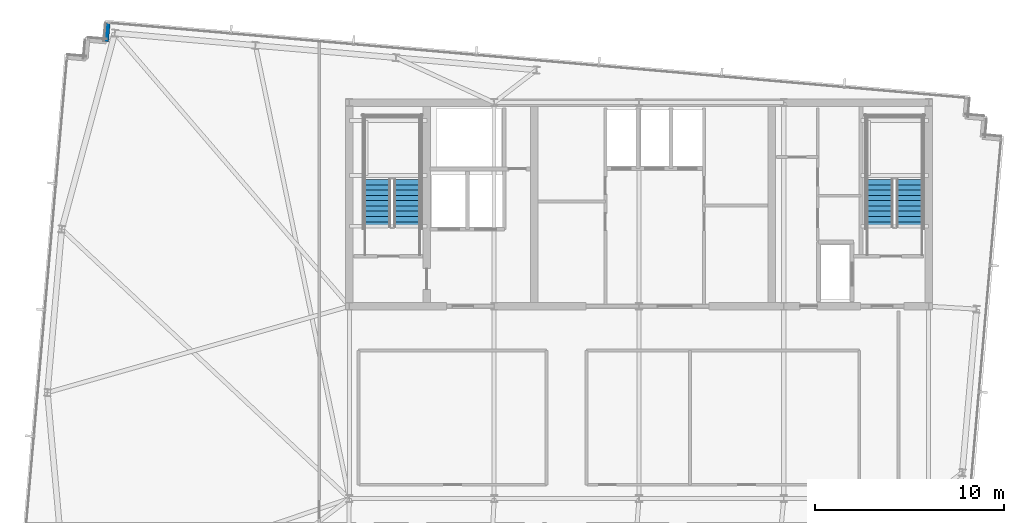
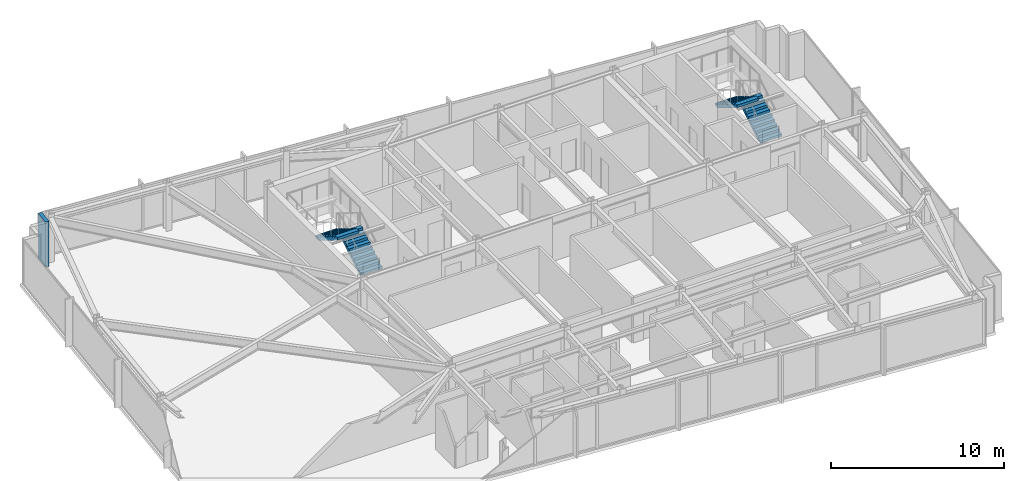
# One storey, part 29 of 33: 4 stair flights, 1 wall, 2 elements without a shape of their own.
"""IFC4 building model written with IfcOpenShell, lengths in metres."""

from ifc_helpers import new_model, si_unit, direction, frame, frame_2d, origin, place, context, subcontext, project, spatial, polyline, rectangle, outline, extrude, material, layer, layer_set, type_object, element, aggregate, save


model = new_model("IFC4")

# Units and contexts
model_context = context("Model", 3, precision=1e-05, world=origin(), true_north=direction((0.0, 1.0)))
body_context = subcontext(model_context, "Body", "Model", "MODEL_VIEW")
ifc_project = project(units=[si_unit("LENGTHUNIT", "METRE"), si_unit("AREAUNIT", "SQUARE_METRE"), si_unit("VOLUMEUNIT", "CUBIC_METRE"), si_unit("PLANEANGLEUNIT", "RADIAN"), si_unit("MASSUNIT", "GRAM", prefix="KILO")], contexts=[model_context])

# Site, building, storey
site_placement = place(None, origin())
site = spatial("IfcSite", under=ifc_project, at=site_placement, CompositionType="ELEMENT")
building_placement = place(site_placement, origin())
building = spatial("IfcBuilding", under=site, at=building_placement, Name="Yelkora Congress Tower", CompositionType="ELEMENT")
storey_placement = place(building_placement, frame((0.0, 0.0, 289.699951171875)))
storey = spatial("IfcBuildingStorey", under=building, at=storey_placement, Name="L81", CompositionType="ELEMENT", Elevation=289.699951171875)

# Wall
ifc_material = material(Name="Concrete C40/50", Category="concrete")
ifc_layer = layer(ifc_material, 0.239990234375)
ifc_layer_set = layer_set([ifc_layer], Name="Concrete C40/50")
wall_type = type_object("IfcWallType", Name="WALL-EXT-LIMESTONE-240", PredefinedType="SOLIDWALL", material=ifc_layer_set)
wall_placement = place(storey_placement, frame((10.15283203125, 49.431640625, 0.0), z_axis=(0.0, 0.0, 1.0), x_axis=(0.087166950281, 0.996193717496, 0.0)))
element("IfcWall", 1, at=wall_placement, inside=storey, type_object=wall_type, Name="L81 Serrated Corner Limestone Pier 9", PredefinedType="SOLIDWALL", context=body_context, shape_type="SweptSolid", body=[
    extrude(rectangle(XDim=1.0, YDim=0.239990234375, at=frame_2d((0.5, 0.0))), origin(), (0.0, 0.0, 1.0), 3.179931640625),
])

# Stair, stair flights
stair_type = type_object("IfcStairType", Name="STAIR-HT-1420-R20-170", PredefinedType="HALF_TURN_STAIR", material=ifc_material)
stair_1_placement = place(storey_placement, origin())
stair_1 = element("IfcStair", 2, at=stair_1_placement, inside=storey, type_object=stair_type, Name="West Core Protected Exit Stair ST-01 (L81)", PredefinedType="HALF_TURN_STAIR")
stair_flight_type = type_object("IfcStairFlightType", Name="FLIGHT-1420-N10-R170-G280", PredefinedType="STRAIGHT", material=ifc_material)
stair_flight_1_placement = place(storey_placement, frame((26.110107421875, 39.60009765625, 0.0), z_axis=(0.0, 0.0, 1.0), x_axis=(0.0, 1.0, 0.0)))
stair_flight_1 = element("IfcStairFlight", 3, at=stair_flight_1_placement, type_object=stair_flight_type, Name="ST-01 L81 Flight 1", NumberOfRisers=10, NumberOfTreads=9, PredefinedType="STRAIGHT", RiserHeight=0.17, TreadLength=0.28, context=body_context, shape_type="SweptSolid", body=[
    extrude(outline(polyline([(0.0, 0.0), (0.0, 0.169921875), (0.280029296875, 0.169921875), (0.280029296875, 0.340087890625), (0.56005859375, 0.340087890625), (0.56005859375, 0.510009765625), (0.840087890625, 0.510009765625), (0.840087890625, 0.679931640625), (1.1201171875, 0.679931640625), (1.1201171875, 0.85009765625), (1.39990234375, 0.85009765625), (1.39990234375, 1.02001953125), (1.679931640625, 1.02001953125), (1.679931640625, 1.18994140625), (1.9599609375, 1.18994140625), (1.9599609375, 1.360107421875), (2.239990234375, 1.360107421875), (2.239990234375, 1.530029296875), (2.52001953125, 1.530029296875), (2.52001953125, 1.699951171875), (2.52001953125, 1.343017578125), (0.30810546875, 0.0), (0.0, 0.0)])), frame((0.0, 0.7099609375, 0.0), z_axis=(0.0, -1.0, 0.0), x_axis=(1.0, 0.0, 0.0)), (0.0, 0.0, 1.0), 1.419921875),
])
stair_flight_2_placement = place(storey_placement, frame((24.530029296875, 42.1201171875, 1.699951171875), z_axis=(0.0, 0.0, 1.0), x_axis=(0.0, -1.0, 0.0)))
stair_flight_2 = element("IfcStairFlight", 4, at=stair_flight_2_placement, type_object=stair_flight_type, Name="ST-01 L81 Flight 2", NumberOfRisers=10, NumberOfTreads=9, PredefinedType="STRAIGHT", RiserHeight=0.17, TreadLength=0.28, context=body_context, shape_type="SweptSolid", body=[
    extrude(outline(polyline([(0.0, 0.0), (0.0, 0.169921875), (0.280029296875, 0.169921875), (0.280029296875, 0.340087890625), (0.56005859375, 0.340087890625), (0.56005859375, 0.510009765625), (0.840087890625, 0.510009765625), (0.840087890625, 0.679931640625), (1.1201171875, 0.679931640625), (1.1201171875, 0.85009765625), (1.39990234375, 0.85009765625), (1.39990234375, 1.02001953125), (1.679931640625, 1.02001953125), (1.679931640625, 1.18994140625), (1.9599609375, 1.18994140625), (1.9599609375, 1.360107421875), (2.239990234375, 1.360107421875), (2.239990234375, 1.530029296875), (2.52001953125, 1.530029296875), (2.52001953125, 1.699951171875), (2.52001953125, 1.343017578125), (0.30810546875, 0.0), (0.0, 0.0)])), frame((0.0, 0.7099609375, 0.0), z_axis=(0.0, -1.0, 0.0), x_axis=(1.0, 0.0, 0.0)), (0.0, 0.0, 1.0), 1.419921875),
])
aggregate(stair_1, [stair_flight_1, stair_flight_2])

stair_2_placement = place(storey_placement, origin())
stair_2 = element("IfcStair", 5, at=stair_2_placement, inside=storey, type_object=stair_type, Name="East Core Protected Exit Stair ST-02 (L81)", PredefinedType="HALF_TURN_STAIR")
stair_flight_3_placement = place(storey_placement, frame((52.75, 39.60009765625, 0.0), z_axis=(0.0, 0.0, 1.0), x_axis=(0.0, 1.0, 0.0)))
stair_flight_3 = element("IfcStairFlight", 6, at=stair_flight_3_placement, type_object=stair_flight_type, Name="ST-02 L81 Flight 1", NumberOfRisers=10, NumberOfTreads=9, PredefinedType="STRAIGHT", RiserHeight=0.17, TreadLength=0.28, context=body_context, shape_type="SweptSolid", body=[
    extrude(outline(polyline([(0.0, 0.0), (0.0, 0.169921875), (0.280029296875, 0.169921875), (0.280029296875, 0.340087890625), (0.56005859375, 0.340087890625), (0.56005859375, 0.510009765625), (0.840087890625, 0.510009765625), (0.840087890625, 0.679931640625), (1.1201171875, 0.679931640625), (1.1201171875, 0.85009765625), (1.39990234375, 0.85009765625), (1.39990234375, 1.02001953125), (1.679931640625, 1.02001953125), (1.679931640625, 1.18994140625), (1.9599609375, 1.18994140625), (1.9599609375, 1.360107421875), (2.239990234375, 1.360107421875), (2.239990234375, 1.530029296875), (2.52001953125, 1.530029296875), (2.52001953125, 1.699951171875), (2.52001953125, 1.343017578125), (0.30810546875, 0.0), (0.0, 0.0)])), frame((0.0, 0.7099609375, 0.0), z_axis=(0.0, -1.0, 0.0), x_axis=(1.0, 0.0, 0.0)), (0.0, 0.0, 1.0), 1.419921875),
])
stair_flight_4_placement = place(storey_placement, frame((51.169921875, 42.1201171875, 1.699951171875), z_axis=(0.0, 0.0, 1.0), x_axis=(0.0, -1.0, 0.0)))
stair_flight_4 = element("IfcStairFlight", 7, at=stair_flight_4_placement, type_object=stair_flight_type, Name="ST-02 L81 Flight 2", NumberOfRisers=10, NumberOfTreads=9, PredefinedType="STRAIGHT", RiserHeight=0.17, TreadLength=0.28, context=body_context, shape_type="SweptSolid", body=[
    extrude(outline(polyline([(0.0, 0.0), (0.0, 0.169921875), (0.280029296875, 0.169921875), (0.280029296875, 0.340087890625), (0.56005859375, 0.340087890625), (0.56005859375, 0.510009765625), (0.840087890625, 0.510009765625), (0.840087890625, 0.679931640625), (1.1201171875, 0.679931640625), (1.1201171875, 0.85009765625), (1.39990234375, 0.85009765625), (1.39990234375, 1.02001953125), (1.679931640625, 1.02001953125), (1.679931640625, 1.18994140625), (1.9599609375, 1.18994140625), (1.9599609375, 1.360107421875), (2.239990234375, 1.360107421875), (2.239990234375, 1.530029296875), (2.52001953125, 1.530029296875), (2.52001953125, 1.699951171875), (2.52001953125, 1.343017578125), (0.30810546875, 0.0), (0.0, 0.0)])), frame((0.0, 0.7099609375, 0.0), z_axis=(0.0, -1.0, 0.0), x_axis=(1.0, 0.0, 0.0)), (0.0, 0.0, 1.0), 1.419921875),
])
aggregate(stair_2, [stair_flight_3, stair_flight_4])

save(model, "model.ifc")
